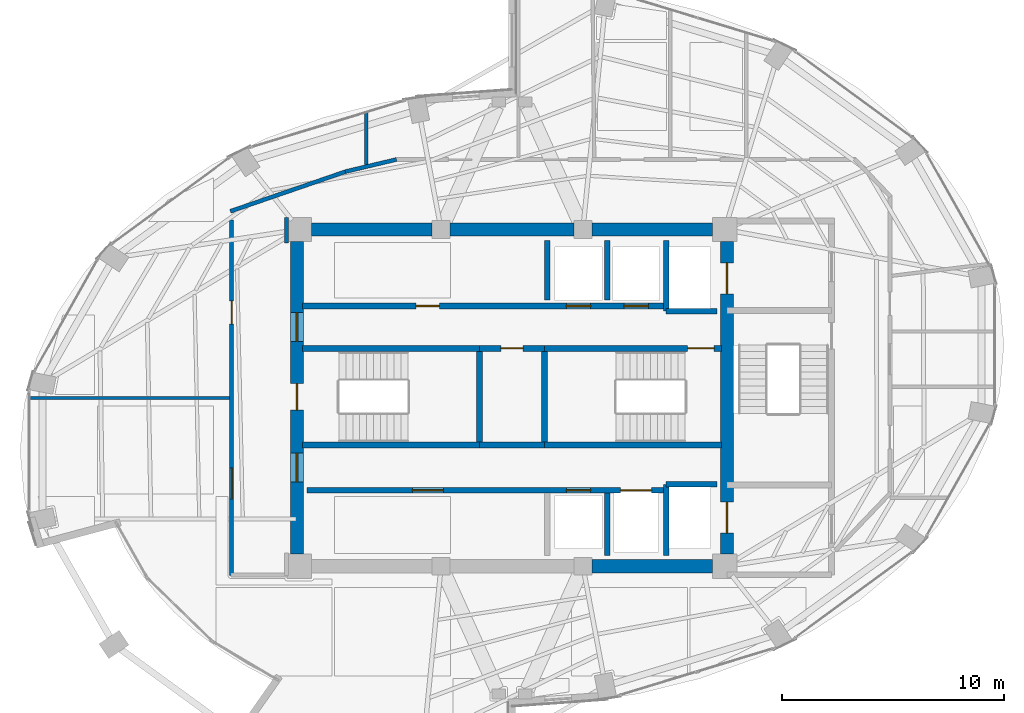
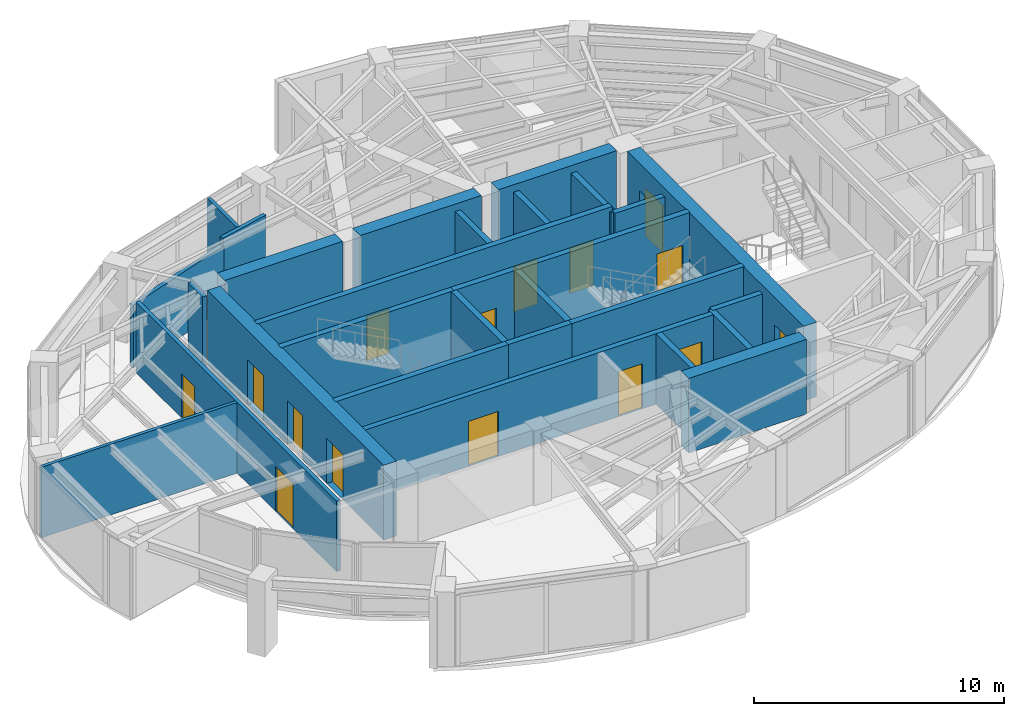
# One storey, part 17 of 21: 29 walls, 15 doors, 15 openings.
"""IFC4 building model written with IfcOpenShell, lengths in metres."""

from ifc_helpers import new_model, si_unit, direction, frame, frame_2d, origin, place, context, subcontext, project, spatial, rectangle, extrude, material, layer, layer_set, type_object, element, fill, save


model = new_model("IFC4")

# Units and contexts
model_context = context("Model", 3, precision=1e-05, world=origin(), true_north=direction((0.0, 1.0)))
body_context = subcontext(model_context, "Body", "Model", "MODEL_VIEW")
ifc_project = project(units=[si_unit("LENGTHUNIT", "METRE"), si_unit("AREAUNIT", "SQUARE_METRE"), si_unit("VOLUMEUNIT", "CUBIC_METRE"), si_unit("PLANEANGLEUNIT", "RADIAN"), si_unit("MASSUNIT", "GRAM", prefix="KILO")], contexts=[model_context])

# Site, building, storey
site_placement = place(None, origin())
site = spatial("IfcSite", under=ifc_project, at=site_placement, CompositionType="ELEMENT")
building_placement = place(site_placement, origin())
building = spatial("IfcBuilding", under=site, at=building_placement, Name="Lazwardi Medical Tower", CompositionType="ELEMENT")
storey_placement = place(building_placement, frame((0.0, 0.0, 220.367919921875)))
storey = spatial("IfcBuildingStorey", under=building, at=storey_placement, Name="L57", CompositionType="ELEMENT", Elevation=220.367919921875)

# Walls
ifc_material_1 = material(Name="Fire-rated gypsum board on steel stud", Category="steel")
ifc_layer_1 = layer(ifc_material_1, 0.179931640625)
ifc_layer_set_1 = layer_set([ifc_layer_1], Name="Fire-rated gypsum board on steel stud")
wall_type_1 = type_object("IfcWallType", Name="WL-COR-180", PredefinedType="PARTITIONING", material=ifc_layer_set_1)
wall_1_placement = place(storey_placement, frame((23.294189453125, 36.422119140625, 0.0), z_axis=(0.0, 0.0, 1.0), x_axis=(0.945493277461, 0.325641616316, 0.0)))
element("IfcWall", 1, at=wall_1_placement, inside=storey, type_object=wall_type_1, Name="L57 Corridor partition 1", PredefinedType="PARTITIONING", context=body_context, shape_type="SweptSolid", body=[
    extrude(rectangle(XDim=5.5615234375, YDim=0.179931640625, at=frame_2d((2.78076171875, 0.0))), origin(), (0.0, 0.0, 1.0), 3.072998046875),
])
wall_2_placement = place(storey_placement, frame((28.475830078125, 38.2109375, 0.0), z_axis=(0.0, 0.0, 1.0), x_axis=(0.973030562203, 0.230676234189, 0.0)))
element("IfcWall", 2, at=wall_2_placement, inside=storey, type_object=wall_type_1, Name="L57 Corridor partition 2", PredefinedType="PARTITIONING", context=body_context, shape_type="SweptSolid", body=[
    extrude(rectangle(XDim=2.377197265625, YDim=0.179931640625, at=frame_2d((1.1884765625, 0.0))), origin(), (0.0, 0.0, 1.0), 3.447998046875),
])
wall_3_placement = place(storey_placement, frame((25.830078125, 36.139892578125, 0.0), z_axis=(0.0, 0.0, 1.0), x_axis=(0.0, -1.0, 0.0)))
element("IfcWall", 3, at=wall_3_placement, inside=storey, type_object=wall_type_1, Name="L57 Corridor partition 7", PredefinedType="PARTITIONING", context=body_context, shape_type="SweptSolid", body=[
    extrude(rectangle(XDim=1.14990234375, YDim=0.179931640625, at=frame_2d((0.574951171875, 0.0))), origin(), (0.0, 0.0, 1.0), 3.447998046875),
])

# Wall, openings, doors
wall_4_placement = place(storey_placement, frame((23.35009765625, 19.97998046875, 0.0), z_axis=(0.0, 0.0, 1.0), x_axis=(0.0, 1.0, 0.0)))
wall_4 = element("IfcWall", 4, at=wall_4_placement, inside=storey, type_object=wall_type_1, Name="L57 Corridor partition 10", PredefinedType="PARTITIONING", context=body_context, shape_type="SweptSolid", body=[
    extrude(rectangle(XDim=16.04248046875, YDim=0.179931640625, at=frame_2d((8.021240234375, 0.0))), origin(), (0.0, 0.0, 1.0), 3.447998046875),
])
opening_1_placement = place(wall_4_placement, frame((3.468994140625, 0.0, 0.0)))
opening_1 = element("IfcOpeningElement", 5, at=opening_1_placement, cuts=wall_4, Name="Opening D-L57-008", PredefinedType="OPENING", context=body_context, shape_type="SweptSolid", body=[
    extrude(rectangle(XDim=1.39990234375, YDim=2.199951171875, at=frame_2d((0.699951171875, 1.10009765625))), frame((0.0, 0.099853515625, 0.0), z_axis=(0.0, -1.0, 0.0), x_axis=(1.0, 0.0, 0.0)), (0.0, 0.0, 1.0), 0.199951171875),
])
opening_2_placement = place(wall_4_placement, frame((11.34716796875, 0.0, 0.0)))
opening_2 = element("IfcOpeningElement", 6, at=opening_2_placement, cuts=wall_4, Name="Opening D-L57-017", PredefinedType="OPENING", context=body_context, shape_type="SweptSolid", body=[
    extrude(rectangle(XDim=1.050048828125, YDim=2.14990234375, at=frame_2d((0.52490234375, 1.074951171875))), frame((0.0, 0.099853515625, 0.0), z_axis=(0.0, -1.0, 0.0), x_axis=(1.0, 0.0, 0.0)), (0.0, 0.0, 1.0), 0.199951171875),
])
ifc_material_2 = material(Name="Anti-microbial laminate hospital leaf")
door_type_1 = type_object("IfcDoorType", Name="DR-BED-1400", OperationType="NOTDEFINED", PredefinedType="DOOR", material=ifc_material_2)
door_1_placement = place(opening_1_placement, origin())
door_1 = element("IfcDoor", 7, at=door_1_placement, inside=storey, type_object=door_type_1, Name="L57 Sky Garden Lounge Door 01", OperationType="SINGLE_SWING_LEFT", OverallHeight=2.199951171875, OverallWidth=1.39990234375, PredefinedType="DOOR", context=body_context, shape_type="SweptSolid", body=[
    extrude(rectangle(XDim=1.39990234375, YDim=2.199951171875, at=frame_2d((0.699951171875, 1.10009765625))), frame((0.0, 0.02490234375, 0.0), z_axis=(0.0, -1.0, 0.0), x_axis=(1.0, 0.0, 0.0)), (0.0, 0.0, 1.0), 0.050048828125),
])
fill(opening_1, door_1)
door_type_2 = type_object("IfcDoorType", Name="DR-CLN-1050", OperationType="NOTDEFINED", PredefinedType="DOOR", material=ifc_material_2)
door_2_placement = place(opening_2_placement, origin())
door_2 = element("IfcDoor", 8, at=door_2_placement, inside=storey, type_object=door_type_2, Name="L57 Outpatient Consultation Suite Door 10", OperationType="SINGLE_SWING_RIGHT", OverallHeight=2.14990234375, OverallWidth=1.050048828125, PredefinedType="DOOR", context=body_context, shape_type="SweptSolid", body=[
    extrude(rectangle(XDim=1.050048828125, YDim=2.14990234375, at=frame_2d((0.52490234375, 1.074951171875))), frame((0.0, 0.02490234375, 0.0), z_axis=(0.0, -1.0, 0.0), x_axis=(1.0, 0.0, 0.0)), (0.0, 0.0, 1.0), 0.050048828125),
])
fill(opening_2, door_2)

ifc_material_3 = material(Name="Concrete C60/75", Category="concrete")
ifc_layer_2 = layer(ifc_material_3, 0.60009765625)
ifc_layer_set_2 = layer_set([ifc_layer_2], Name="Concrete C60/75")
wall_type_2 = type_object("IfcWallType", Name="WL-CORE-600", PredefinedType="SHEAR", material=ifc_layer_set_2)
wall_5_placement = place(storey_placement, frame((26.300048828125, 20.949951171875, 0.0), z_axis=(0.0, 0.0, 1.0), x_axis=(0.0, 1.0, 0.0)))
wall_5 = element("IfcWall", 9, at=wall_5_placement, inside=storey, type_object=wall_type_2, Name="Core wall CW-S3 west L57", PredefinedType="SHEAR", context=body_context, shape_type="SweptSolid", body=[
    extrude(rectangle(XDim=14.10009765625, YDim=0.60009765625, at=frame_2d((7.050048828125, 0.0))), origin(), (0.0, 0.0, 1.0), 3.648193359375),
])
opening_3_placement = place(wall_5_placement, frame((6.5, 0.0, 0.0)))
opening_3 = element("IfcOpeningElement", 10, at=opening_3_placement, cuts=wall_5, Name="Opening D-L57-018", PredefinedType="OPENING", context=body_context, shape_type="SweptSolid", body=[
    extrude(rectangle(XDim=1.199951171875, YDim=2.14990234375, at=frame_2d((0.60009765625, 1.074951171875))), frame((0.0, 0.31005859375, 0.0), z_axis=(0.0, -1.0, 0.0), x_axis=(1.0, 0.0, 0.0)), (0.0, 0.0, 1.0), 0.6201171875),
])
opening_4_placement = place(wall_5_placement, frame((9.60009765625, 0.0, 0.0)))
opening_4 = element("IfcOpeningElement", 11, at=opening_4_placement, cuts=wall_5, Name="Opening D-L57-006", PredefinedType="OPENING", context=body_context, shape_type="SweptSolid", body=[
    extrude(rectangle(XDim=1.300048828125, YDim=2.199951171875, at=frame_2d((0.64990234375, 1.10009765625))), frame((0.0, 0.31005859375, 0.0), z_axis=(0.0, -1.0, 0.0), x_axis=(1.0, 0.0, 0.0)), (0.0, 0.0, 1.0), 0.6201171875),
])
opening_5_placement = place(wall_5_placement, frame((3.260009765625, 0.0, 0.0)))
opening_5 = element("IfcOpeningElement", 12, at=opening_5_placement, cuts=wall_5, Name="Opening D-L57-007", PredefinedType="OPENING", context=body_context, shape_type="SweptSolid", body=[
    extrude(rectangle(XDim=1.300048828125, YDim=2.199951171875, at=frame_2d((0.64990234375, 1.10009765625))), frame((0.0, 0.31005859375, 0.0), z_axis=(0.0, -1.0, 0.0), x_axis=(1.0, 0.0, 0.0)), (0.0, 0.0, 1.0), 0.6201171875),
])
ifc_material_4 = material(Name="Fire-rated steel leaf and frame", Category="steel")
door_type_3 = type_object("IfcDoorType", Name="DR-FFL-1300", OperationType="NOTDEFINED", PredefinedType="DOOR", material=ifc_material_4)
door_3_placement = place(opening_4_placement, origin())
door_3 = element("IfcDoor", 13, at=door_3_placement, inside=storey, type_object=door_type_3, Name="L57 North Lift Lobby Door", OperationType="SINGLE_SWING_RIGHT", OverallHeight=2.199951171875, OverallWidth=1.300048828125, PredefinedType="DOOR", context=body_context, shape_type="SweptSolid", body=[
    extrude(rectangle(XDim=1.300048828125, YDim=2.199951171875, at=frame_2d((0.64990234375, 1.10009765625))), frame((0.0, 0.02490234375, 0.0), z_axis=(0.0, -1.0, 0.0), x_axis=(1.0, 0.0, 0.0)), (0.0, 0.0, 1.0), 0.050048828125),
])
fill(opening_4, door_3)
door_4_placement = place(opening_5_placement, origin())
door_4 = element("IfcDoor", 14, at=door_4_placement, inside=storey, type_object=door_type_3, Name="L57 South Lift Lobby Door", OperationType="SINGLE_SWING_LEFT", OverallHeight=2.199951171875, OverallWidth=1.300048828125, PredefinedType="DOOR", context=body_context, shape_type="SweptSolid", body=[
    extrude(rectangle(XDim=1.300048828125, YDim=2.199951171875, at=frame_2d((0.64990234375, 1.10009765625))), frame((0.0, 0.02490234375, 0.0), z_axis=(0.0, -1.0, 0.0), x_axis=(1.0, 0.0, 0.0)), (0.0, 0.0, 1.0), 0.050048828125),
])
fill(opening_5, door_4)
door_type_4 = type_object("IfcDoorType", Name="DR-STR-1200", OperationType="NOTDEFINED", PredefinedType="DOOR", material=ifc_material_4)
door_5_placement = place(opening_3_placement, origin())
door_5 = element("IfcDoor", 15, at=door_5_placement, inside=storey, type_object=door_type_4, Name="L57 Exit Stair ST1 Door", OperationType="SINGLE_SWING_LEFT", OverallHeight=2.14990234375, OverallWidth=1.199951171875, PredefinedType="DOOR", context=body_context, shape_type="SweptSolid", body=[
    extrude(rectangle(XDim=1.199951171875, YDim=2.14990234375, at=frame_2d((0.60009765625, 1.074951171875))), frame((0.0, 0.02490234375, 0.0), z_axis=(0.0, -1.0, 0.0), x_axis=(1.0, 0.0, 0.0)), (0.0, 0.0, 1.0), 0.050048828125),
])
fill(opening_3, door_5)

wall_6_placement = place(storey_placement, frame((45.699951171875, 20.949951171875, 0.0), z_axis=(0.0, 0.0, 1.0), x_axis=(0.0, 1.0, 0.0)))
wall_6 = element("IfcWall", 16, at=wall_6_placement, inside=storey, type_object=wall_type_2, Name="Core wall CW-S3 east L57", PredefinedType="SHEAR", context=body_context, shape_type="SweptSolid", body=[
    extrude(rectangle(XDim=14.10009765625, YDim=0.60009765625, at=frame_2d((7.050048828125, 0.0))), origin(), (0.0, 0.0, 1.0), 3.648193359375),
])
opening_6_placement = place(wall_6_placement, frame((11.75, 0.0, 0.0)))
opening_6 = element("IfcOpeningElement", 17, at=opening_6_placement, cuts=wall_6, Name="Opening LD-L57-001", PredefinedType="OPENING", context=body_context, shape_type="SweptSolid", body=[
    extrude(rectangle(XDim=1.39990234375, YDim=2.300048828125, at=frame_2d((0.699951171875, 1.14990234375))), frame((0.0, 0.31005859375, 0.0), z_axis=(0.0, -1.0, 0.0), x_axis=(1.0, 0.0, 0.0)), (0.0, 0.0, 1.0), 0.6201171875),
])
opening_7_placement = place(wall_6_placement, frame((0.949951171875, 0.0, 0.0)))
opening_7 = element("IfcOpeningElement", 18, at=opening_7_placement, cuts=wall_6, Name="Opening LD-L57-002", PredefinedType="OPENING", context=body_context, shape_type="SweptSolid", body=[
    extrude(rectangle(XDim=1.39990234375, YDim=2.300048828125, at=frame_2d((0.699951171875, 1.14990234375))), frame((0.0, 0.31005859375, 0.0), z_axis=(0.0, -1.0, 0.0), x_axis=(1.0, 0.0, 0.0)), (0.0, 0.0, 1.0), 0.6201171875),
])
ifc_material_5 = material(Name="Brushed stainless steel bed-lift landing door", Category="steel")
door_type_5 = type_object("IfcDoorType", Name="DR-LFT-1400", OperationType="NOTDEFINED", PredefinedType="DOOR", material=ifc_material_5)
door_6_placement = place(opening_6_placement, origin())
door_6 = element("IfcDoor", 19, at=door_6_placement, inside=storey, type_object=door_type_5, Name="L57 Lift Landing Door FL-01", OperationType="SLIDING_TO_LEFT", OverallHeight=2.300048828125, OverallWidth=1.39990234375, PredefinedType="DOOR", context=body_context, shape_type="SweptSolid", body=[
    extrude(rectangle(XDim=1.39990234375, YDim=2.300048828125, at=frame_2d((0.699951171875, 1.14990234375))), frame((0.0, 0.02490234375, 0.0), z_axis=(0.0, -1.0, 0.0), x_axis=(1.0, 0.0, 0.0)), (0.0, 0.0, 1.0), 0.050048828125),
])
fill(opening_6, door_6)
door_7_placement = place(opening_7_placement, origin())
door_7 = element("IfcDoor", 20, at=door_7_placement, inside=storey, type_object=door_type_5, Name="L57 Lift Landing Door FL-02", OperationType="SLIDING_TO_LEFT", OverallHeight=2.300048828125, OverallWidth=1.39990234375, PredefinedType="DOOR", context=body_context, shape_type="SweptSolid", body=[
    extrude(rectangle(XDim=1.39990234375, YDim=2.300048828125, at=frame_2d((0.699951171875, 1.14990234375))), frame((0.0, 0.02490234375, 0.0), z_axis=(0.0, -1.0, 0.0), x_axis=(1.0, 0.0, 0.0)), (0.0, 0.0, 1.0), 0.050048828125),
])
fill(opening_7, door_7)

# Walls
wall_7_placement = place(storey_placement, frame((26.949951171875, 35.60009765625, 0.0), z_axis=(0.0, 0.0, 1.0), x_axis=(1.0, 0.0, 0.0)))
element("IfcWall", 21, at=wall_7_placement, inside=storey, type_object=wall_type_2, Name="Core wall CW-S3 N1 L57", PredefinedType="SHEAR", context=body_context, shape_type="SweptSolid", body=[
    extrude(rectangle(XDim=5.449951171875, YDim=0.60009765625, at=frame_2d((2.72509765625, 0.0))), origin(), (0.0, 0.0, 1.0), 3.648193359375),
])
wall_8_placement = place(storey_placement, frame((33.199951171875, 35.60009765625, 0.0), z_axis=(0.0, 0.0, 1.0), x_axis=(1.0, 0.0, 0.0)))
element("IfcWall", 22, at=wall_8_placement, inside=storey, type_object=wall_type_2, Name="Core wall CW-S3 N2 L57", PredefinedType="SHEAR", context=body_context, shape_type="SweptSolid", body=[
    extrude(rectangle(XDim=5.60009765625, YDim=0.60009765625, at=frame_2d((2.800048828125, 0.0))), origin(), (0.0, 0.0, 1.0), 3.648193359375),
])
for number, where, z_axis, x_axis, name in (
    (23, (39.60009765625, 20.39990234375, 0.0), (0.0, 0.0, 1.0), (1.0, 0.0, 0.0), "Core wall CW-S3 S3 L57"),
    (24, (39.60009765625, 35.60009765625, 0.0), (0.0, 0.0, 1.0), (1.0, 0.0, 0.0), "Core wall CW-S3 N3 L57"),
):
    element("IfcWall", number, at=place(storey_placement, frame(where, z_axis=z_axis, x_axis=x_axis)), inside=storey, type_object=wall_type_2, Name=name, PredefinedType="SHEAR", context=body_context, shape_type="SweptSolid", body=[
        extrude(rectangle(XDim=5.449951171875, YDim=0.60009765625, at=frame_2d((2.72509765625, 0.0))), origin(), (0.0, 0.0, 1.0), 3.648193359375),
    ])

# Wall, openings, doors
ifc_material_6 = material(Name="Autoclaved aerated concrete blockwork", Category="masonry")
ifc_layer_3 = layer(ifc_material_6, 0.25)
ifc_layer_set_3 = layer_set([ifc_layer_3], Name="Autoclaved aerated concrete blockwork")
wall_type_3 = type_object("IfcWallType", Name="WL-SHAFT-250", PredefinedType="SOLIDWALL", material=ifc_layer_set_3)
wall_9_placement = place(storey_placement, frame((26.75, 23.830078125, 0.0), z_axis=(0.0, 0.0, 1.0), x_axis=(1.0, 0.0, 0.0)))
wall_9 = element("IfcWall", 25, at=wall_9_placement, inside=storey, type_object=wall_type_3, Name="L57 South lift bank front wall", PredefinedType="SOLIDWALL", context=body_context, shape_type="SweptSolid", body=[
    extrude(rectangle(XDim=16.199951171875, YDim=0.25, at=frame_2d((8.10009765625, 0.0))), origin(), (0.0, 0.0, 1.0), 3.447998046875),
])
opening_8_placement = place(wall_9_placement, frame((4.75, 0.0, 0.0)))
opening_8 = element("IfcOpeningElement", 26, at=opening_8_placement, cuts=wall_9, Name="Opening D-L57-003", PredefinedType="OPENING", context=body_context, shape_type="SweptSolid", body=[
    extrude(rectangle(XDim=1.39990234375, YDim=2.199951171875, at=frame_2d((0.699951171875, 1.10009765625))), frame((0.0, 0.135009765625, 0.0), z_axis=(0.0, -1.0, 0.0), x_axis=(1.0, 0.0, 0.0)), (0.0, 0.0, 1.0), 0.27001953125),
])
opening_9_placement = place(wall_9_placement, frame((11.699951171875, 0.0, 0.0)))
opening_9 = element("IfcOpeningElement", 27, at=opening_9_placement, cuts=wall_9, Name="Opening LD-L57-006", PredefinedType="OPENING", context=body_context, shape_type="SweptSolid", body=[
    extrude(rectangle(XDim=1.10009765625, YDim=2.199951171875, at=frame_2d((0.550048828125, 1.10009765625))), frame((0.0, 0.135009765625, 0.0), z_axis=(0.0, -1.0, 0.0), x_axis=(1.0, 0.0, 0.0)), (0.0, 0.0, 1.0), 0.27001953125),
])
opening_10_placement = place(wall_9_placement, frame((14.14990234375, 0.0, 0.0)))
opening_10 = element("IfcOpeningElement", 28, at=opening_10_placement, cuts=wall_9, Name="Opening LD-L57-003", PredefinedType="OPENING", context=body_context, shape_type="SweptSolid", body=[
    extrude(rectangle(XDim=1.39990234375, YDim=2.300048828125, at=frame_2d((0.699951171875, 1.14990234375))), frame((0.0, 0.135009765625, 0.0), z_axis=(0.0, -1.0, 0.0), x_axis=(1.0, 0.0, 0.0)), (0.0, 0.0, 1.0), 0.27001953125),
])
door_8_placement = place(opening_8_placement, origin())
door_8 = element("IfcDoor", 29, at=door_8_placement, inside=storey, type_object=door_type_1, Name="L57 Core South Suite Door", OperationType="SINGLE_SWING_LEFT", OverallHeight=2.199951171875, OverallWidth=1.39990234375, PredefinedType="DOOR", context=body_context, shape_type="SweptSolid", body=[
    extrude(rectangle(XDim=1.39990234375, YDim=2.199951171875, at=frame_2d((0.699951171875, 1.10009765625))), frame((0.0, 0.02490234375, 0.0), z_axis=(0.0, -1.0, 0.0), x_axis=(1.0, 0.0, 0.0)), (0.0, 0.0, 1.0), 0.050048828125),
])
fill(opening_8, door_8)
ifc_material_7 = material(Name="Brushed bronze stainless steel landing door", Category="steel")
door_type_6 = type_object("IfcDoorType", Name="DR-LFT-1100", OperationType="NOTDEFINED", PredefinedType="DOOR", material=ifc_material_7)
door_9_placement = place(opening_9_placement, origin())
door_9 = element("IfcDoor", 30, at=door_9_placement, inside=storey, type_object=door_type_6, Name="L57 Lift Landing Door PL-11", OperationType="SLIDING_TO_LEFT", OverallHeight=2.199951171875, OverallWidth=1.10009765625, PredefinedType="DOOR", context=body_context, shape_type="SweptSolid", body=[
    extrude(rectangle(XDim=1.10009765625, YDim=2.199951171875, at=frame_2d((0.550048828125, 1.10009765625))), frame((0.0, 0.02490234375, 0.0), z_axis=(0.0, -1.0, 0.0), x_axis=(1.0, 0.0, 0.0)), (0.0, 0.0, 1.0), 0.050048828125),
])
fill(opening_9, door_9)
door_10_placement = place(opening_10_placement, origin())
door_10 = element("IfcDoor", 31, at=door_10_placement, inside=storey, type_object=door_type_5, Name="L57 Lift Landing Door FL-03", OperationType="SLIDING_TO_LEFT", OverallHeight=2.300048828125, OverallWidth=1.39990234375, PredefinedType="DOOR", context=body_context, shape_type="SweptSolid", body=[
    extrude(rectangle(XDim=1.39990234375, YDim=2.300048828125, at=frame_2d((0.699951171875, 1.14990234375))), frame((0.0, 0.02490234375, 0.0), z_axis=(0.0, -1.0, 0.0), x_axis=(1.0, 0.0, 0.0)), (0.0, 0.0, 1.0), 0.050048828125),
])
fill(opening_10, door_10)

# Walls
wall_10_placement = place(storey_placement, frame((42.949951171875, 31.919921875, 0.0), z_axis=(0.0, 0.0, 1.0), x_axis=(0.0, 1.0, 0.0)))
element("IfcWall", 32, at=wall_10_placement, inside=storey, type_object=wall_type_3, Name="L57 FL-01 West shaft wall", PredefinedType="SOLIDWALL", context=body_context, shape_type="SweptSolid", body=[
    extrude(rectangle(XDim=3.18017578125, YDim=0.25, at=frame_2d((1.590087890625, 0.0))), origin(), (0.0, 0.0, 1.0), 3.447998046875),
])
wall_11_placement = place(storey_placement, frame((42.949951171875, 31.919921875, 0.0), z_axis=(0.0, 0.0, 1.0), x_axis=(1.0, 0.0, 0.0)))
element("IfcWall", 33, at=wall_11_placement, inside=storey, type_object=wall_type_3, Name="L57 FL-01 South shaft wall", PredefinedType="SOLIDWALL", context=body_context, shape_type="SweptSolid", body=[
    extrude(rectangle(XDim=2.300048828125, YDim=0.25, at=frame_2d((1.14990234375, 0.0))), origin(), (0.0, 0.0, 1.0), 3.447998046875),
])
wall_12_placement = place(storey_placement, frame((42.949951171875, 20.89990234375, 0.0), z_axis=(0.0, 0.0, 1.0), x_axis=(0.0, 1.0, 0.0)))
element("IfcWall", 34, at=wall_12_placement, inside=storey, type_object=wall_type_3, Name="L57 FL-02 West shaft wall", PredefinedType="SOLIDWALL", context=body_context, shape_type="SweptSolid", body=[
    extrude(rectangle(XDim=3.2001953125, YDim=0.25, at=frame_2d((1.60009765625, 0.0))), origin(), (0.0, 0.0, 1.0), 3.447998046875),
])
wall_13_placement = place(storey_placement, frame((42.949951171875, 24.10009765625, 0.0), z_axis=(0.0, 0.0, 1.0), x_axis=(1.0, 0.0, 0.0)))
element("IfcWall", 35, at=wall_13_placement, inside=storey, type_object=wall_type_3, Name="L57 FL-02 North shaft wall", PredefinedType="SOLIDWALL", context=body_context, shape_type="SweptSolid", body=[
    extrude(rectangle(XDim=2.300048828125, YDim=0.25, at=frame_2d((1.14990234375, 0.0))), origin(), (0.0, 0.0, 1.0), 3.447998046875),
])
for number, where, z_axis, x_axis, name in (
    (36, (37.60009765625, 32.419921875, 0.0), (0.0, 0.0, 1.0), (0.0, 1.0, 0.0), "L57 North hoistway divider"),
    (37, (40.300048828125, 32.419921875, 0.0), (0.0, 0.0, 1.0), (0.0, 1.0, 0.0), "L57 North hoistway divider"),
):
    element("IfcWall", number, at=place(storey_placement, frame(where, z_axis=z_axis, x_axis=x_axis)), inside=storey, type_object=wall_type_3, Name=name, PredefinedType="SOLIDWALL", context=body_context, shape_type="SweptSolid", body=[
        extrude(rectangle(XDim=2.68017578125, YDim=0.25, at=frame_2d((1.340087890625, 0.0))), origin(), (0.0, 0.0, 1.0), 3.447998046875),
    ])
wall_14_placement = place(storey_placement, frame((40.300048828125, 20.89990234375, 0.0), z_axis=(0.0, 0.0, 1.0), x_axis=(0.0, 1.0, 0.0)))
element("IfcWall", 38, at=wall_14_placement, inside=storey, type_object=wall_type_3, Name="L57 South hoistway divider", PredefinedType="SOLIDWALL", context=body_context, shape_type="SweptSolid", body=[
    extrude(rectangle(XDim=2.800048828125, YDim=0.25, at=frame_2d((1.39990234375, 0.0))), origin(), (0.0, 0.0, 1.0), 3.447998046875),
])
ifc_material_8 = material(Name="Concrete C50/60", Category="concrete")
ifc_layer_4 = layer(ifc_material_8, 0.27001953125)
ifc_layer_set_4 = layer_set([ifc_layer_4], Name="Concrete C50/60")
wall_type_4 = type_object("IfcWallType", Name="WL-STR-250", PredefinedType="SHEAR", material=ifc_layer_set_4)
wall_15_placement = place(storey_placement, frame((26.550048828125, 30.235107421875, 0.0), z_axis=(0.0, 0.0, 1.0), x_axis=(1.0, 0.0, 0.0)))
element("IfcWall", 39, at=wall_15_placement, inside=storey, type_object=wall_type_4, Name="L57 ST1 North shear shaft wall SW-S1", PredefinedType="SHEAR", context=body_context, shape_type="SweptSolid", body=[
    extrude(rectangle(XDim=7.98486328125, YDim=0.27001953125, at=frame_2d((3.992431640625, 0.0))), origin(), (0.0, 0.0, 1.0), 3.648193359375),
])

# Wall, opening, door
wall_16_placement = place(storey_placement, frame((34.534912109375, 30.235107421875, 0.0), z_axis=(0.0, 0.0, 1.0), x_axis=(1.0, 0.0, 0.0)))
wall_16 = element("IfcWall", 40, at=wall_16_placement, inside=storey, type_object=wall_type_4, Name="L57 Core service North shear wall SW-S1", PredefinedType="SHEAR", context=body_context, shape_type="SweptSolid", body=[
    extrude(rectangle(XDim=2.93017578125, YDim=0.27001953125, at=frame_2d((1.465087890625, 0.0))), origin(), (0.0, 0.0, 1.0), 3.648193359375),
])
opening_11_placement = place(wall_16_placement, frame((0.965087890625, 0.0, 0.0)))
opening_11 = element("IfcOpeningElement", 41, at=opening_11_placement, cuts=wall_16, Name="Opening D-L57-001", PredefinedType="OPENING", context=body_context, shape_type="SweptSolid", body=[
    extrude(rectangle(XDim=1.0, YDim=2.10009765625, at=frame_2d((0.5, 1.050048828125))), frame((0.0, 0.14501953125, 0.0), z_axis=(0.0, -1.0, 0.0), x_axis=(1.0, 0.0, 0.0)), (0.0, 0.0, 1.0), 0.2900390625),
])
ifc_material_9 = material(Name="Moisture-resistant laminate door leaf")
door_type_7 = type_object("IfcDoorType", Name="DR-AWC-1000", OperationType="NOTDEFINED", PredefinedType="DOOR", material=ifc_material_9)
door_11_placement = place(opening_11_placement, origin())
door_11 = element("IfcDoor", 42, at=door_11_placement, inside=storey, type_object=door_type_7, Name="L57 Accessible WC Door", OperationType="SINGLE_SWING_LEFT", OverallHeight=2.10009765625, OverallWidth=1.0, PredefinedType="DOOR", context=body_context, shape_type="SweptSolid", body=[
    extrude(rectangle(XDim=1.0, YDim=2.10009765625, at=frame_2d((0.5, 1.050048828125))), frame((0.0, 0.02490234375, 0.0), z_axis=(0.0, -1.0, 0.0), x_axis=(1.0, 0.0, 0.0)), (0.0, 0.0, 1.0), 0.050048828125),
])
fill(opening_11, door_11)

wall_17_placement = place(storey_placement, frame((37.465087890625, 30.235107421875, 0.0), z_axis=(0.0, 0.0, 1.0), x_axis=(1.0, 0.0, 0.0)))
wall_17 = element("IfcWall", 43, at=wall_17_placement, inside=storey, type_object=wall_type_4, Name="L57 ST2 North shear shaft wall SW-S1", PredefinedType="SHEAR", context=body_context, shape_type="SweptSolid", body=[
    extrude(rectangle(XDim=7.98486328125, YDim=0.27001953125, at=frame_2d((3.992431640625, 0.0))), origin(), (0.0, 0.0, 1.0), 3.648193359375),
])
opening_12_placement = place(wall_17_placement, frame((6.455078125, 0.0, 0.0)))
opening_12 = element("IfcOpeningElement", 44, at=opening_12_placement, cuts=wall_17, Name="Opening D-L57-019", PredefinedType="OPENING", context=body_context, shape_type="SweptSolid", body=[
    extrude(rectangle(XDim=1.199951171875, YDim=2.14990234375, at=frame_2d((0.60009765625, 1.074951171875))), frame((0.0, 0.14501953125, 0.0), z_axis=(0.0, -1.0, 0.0), x_axis=(1.0, 0.0, 0.0)), (0.0, 0.0, 1.0), 0.2900390625),
])
door_12_placement = place(opening_12_placement, origin())
door_12 = element("IfcDoor", 45, at=door_12_placement, inside=storey, type_object=door_type_4, Name="L57 Exit Stair ST2 Door", OperationType="SINGLE_SWING_RIGHT", OverallHeight=2.14990234375, OverallWidth=1.199951171875, PredefinedType="DOOR", context=body_context, shape_type="SweptSolid", body=[
    extrude(rectangle(XDim=1.199951171875, YDim=2.14990234375, at=frame_2d((0.60009765625, 1.074951171875))), frame((0.0, 0.02490234375, 0.0), z_axis=(0.0, -1.0, 0.0), x_axis=(1.0, 0.0, 0.0)), (0.0, 0.0, 1.0), 0.050048828125),
])
fill(opening_12, door_12)

# Walls
wall_18_placement = place(storey_placement, frame((26.550048828125, 25.885009765625, 0.0), z_axis=(0.0, 0.0, 1.0), x_axis=(1.0, 0.0, 0.0)))
element("IfcWall", 46, at=wall_18_placement, inside=storey, type_object=wall_type_4, Name="L57 ST1 South shear shaft wall SW-S1", PredefinedType="SHEAR", context=body_context, shape_type="SweptSolid", body=[
    extrude(rectangle(XDim=7.98486328125, YDim=0.27001953125, at=frame_2d((3.992431640625, 0.0))), origin(), (0.0, 0.0, 1.0), 3.648193359375),
])
wall_19_placement = place(storey_placement, frame((34.534912109375, 25.885009765625, 0.0), z_axis=(0.0, 0.0, 1.0), x_axis=(1.0, 0.0, 0.0)))
element("IfcWall", 47, at=wall_19_placement, inside=storey, type_object=wall_type_4, Name="L57 Core service South shear wall SW-S1", PredefinedType="SHEAR", context=body_context, shape_type="SweptSolid", body=[
    extrude(rectangle(XDim=2.93017578125, YDim=0.27001953125, at=frame_2d((1.465087890625, 0.0))), origin(), (0.0, 0.0, 1.0), 3.648193359375),
])
wall_20_placement = place(storey_placement, frame((37.465087890625, 25.885009765625, 0.0), z_axis=(0.0, 0.0, 1.0), x_axis=(1.0, 0.0, 0.0)))
element("IfcWall", 48, at=wall_20_placement, inside=storey, type_object=wall_type_4, Name="L57 ST2 South shear shaft wall SW-S1", PredefinedType="SHEAR", context=body_context, shape_type="SweptSolid", body=[
    extrude(rectangle(XDim=7.98486328125, YDim=0.27001953125, at=frame_2d((3.992431640625, 0.0))), origin(), (0.0, 0.0, 1.0), 3.648193359375),
])
for number, where, z_axis, x_axis, name in (
    (49, (34.534912109375, 26.02001953125, 0.0), (0.0, 0.0, 1.0), (0.0, 1.0, 0.0), "L57 ST1 East shear shaft wall SW-S1"),
    (50, (37.465087890625, 26.02001953125, 0.0), (0.0, 0.0, 1.0), (0.0, 1.0, 0.0), "L57 ST2 West shear shaft wall SW-S1"),
):
    element("IfcWall", number, at=place(storey_placement, frame(where, z_axis=z_axis, x_axis=x_axis)), inside=storey, type_object=wall_type_4, Name=name, PredefinedType="SHEAR", context=body_context, shape_type="SweptSolid", body=[
        extrude(rectangle(XDim=4.080078125, YDim=0.27001953125, at=frame_2d((2.0400390625, 0.0))), origin(), (0.0, 0.0, 1.0), 3.648193359375),
    ])

# Wall, openings, doors
wall_21_placement = place(storey_placement, frame((26.550048828125, 32.14990234375, 0.0), z_axis=(0.0, 0.0, 1.0), x_axis=(1.0, 0.0, 0.0)))
wall_21 = element("IfcWall", 51, at=wall_21_placement, inside=storey, type_object=wall_type_4, Name="L57 North lift bank shear wall SW-S1", PredefinedType="SHEAR", context=body_context, shape_type="SweptSolid", body=[
    extrude(rectangle(XDim=16.39990234375, YDim=0.27001953125, at=frame_2d((8.199951171875, 0.0))), origin(), (0.0, 0.0, 1.0), 3.648193359375),
])
opening_13_placement = place(wall_21_placement, frame((5.125, 0.0, 0.0)))
opening_13 = element("IfcOpeningElement", 52, at=opening_13_placement, cuts=wall_21, Name="Opening D-L57-002", PredefinedType="OPENING", context=body_context, shape_type="SweptSolid", body=[
    extrude(rectangle(XDim=1.050048828125, YDim=2.14990234375, at=frame_2d((0.52490234375, 1.074951171875))), frame((0.0, 0.14501953125, 0.0), z_axis=(0.0, -1.0, 0.0), x_axis=(1.0, 0.0, 0.0)), (0.0, 0.0, 1.0), 0.2900390625),
])
opening_14_placement = place(wall_21_placement, frame((11.89990234375, 0.0, 0.0)))
opening_14 = element("IfcOpeningElement", 53, at=opening_14_placement, cuts=wall_21, Name="Opening LD-L57-004", PredefinedType="OPENING", context=body_context, shape_type="SweptSolid", body=[
    extrude(rectangle(XDim=1.10009765625, YDim=2.199951171875, at=frame_2d((0.550048828125, 1.10009765625))), frame((0.0, 0.14501953125, 0.0), z_axis=(0.0, -1.0, 0.0), x_axis=(1.0, 0.0, 0.0)), (0.0, 0.0, 1.0), 0.2900390625),
])
opening_15_placement = place(wall_21_placement, frame((14.5, 0.0, 0.0)))
opening_15 = element("IfcOpeningElement", 54, at=opening_15_placement, cuts=wall_21, Name="Opening LD-L57-005", PredefinedType="OPENING", context=body_context, shape_type="SweptSolid", body=[
    extrude(rectangle(XDim=1.10009765625, YDim=2.199951171875, at=frame_2d((0.550048828125, 1.10009765625))), frame((0.0, 0.14501953125, 0.0), z_axis=(0.0, -1.0, 0.0), x_axis=(1.0, 0.0, 0.0)), (0.0, 0.0, 1.0), 0.2900390625),
])
door_13_placement = place(opening_13_placement, origin())
door_13 = element("IfcDoor", 55, at=door_13_placement, inside=storey, type_object=door_type_2, Name="L57 Core North Suite Door", OperationType="SINGLE_SWING_RIGHT", OverallHeight=2.14990234375, OverallWidth=1.050048828125, PredefinedType="DOOR", context=body_context, shape_type="SweptSolid", body=[
    extrude(rectangle(XDim=1.050048828125, YDim=2.14990234375, at=frame_2d((0.52490234375, 1.074951171875))), frame((0.0, 0.02490234375, 0.0), z_axis=(0.0, -1.0, 0.0), x_axis=(1.0, 0.0, 0.0)), (0.0, 0.0, 1.0), 0.050048828125),
])
fill(opening_13, door_13)
door_14_placement = place(opening_14_placement, origin())
door_14 = element("IfcDoor", 56, at=door_14_placement, inside=storey, type_object=door_type_6, Name="L57 Lift Landing Door PL-09", OperationType="SLIDING_TO_LEFT", OverallHeight=2.199951171875, OverallWidth=1.10009765625, PredefinedType="DOOR", context=body_context, shape_type="SweptSolid", body=[
    extrude(rectangle(XDim=1.10009765625, YDim=2.199951171875, at=frame_2d((0.550048828125, 1.10009765625))), frame((0.0, 0.02490234375, 0.0), z_axis=(0.0, -1.0, 0.0), x_axis=(1.0, 0.0, 0.0)), (0.0, 0.0, 1.0), 0.050048828125),
])
fill(opening_14, door_14)
door_15_placement = place(opening_15_placement, origin())
door_15 = element("IfcDoor", 57, at=door_15_placement, inside=storey, type_object=door_type_6, Name="L57 Lift Landing Door PL-10", OperationType="SLIDING_TO_LEFT", OverallHeight=2.199951171875, OverallWidth=1.10009765625, PredefinedType="DOOR", context=body_context, shape_type="SweptSolid", body=[
    extrude(rectangle(XDim=1.10009765625, YDim=2.199951171875, at=frame_2d((0.550048828125, 1.10009765625))), frame((0.0, 0.02490234375, 0.0), z_axis=(0.0, -1.0, 0.0), x_axis=(1.0, 0.0, 0.0)), (0.0, 0.0, 1.0), 0.050048828125),
])
fill(opening_15, door_15)

# Walls
ifc_material_10 = material(Name="Acoustic gypsum board partition")
ifc_layer_5 = layer(ifc_material_10, 0.14990234375)
ifc_layer_set_5 = layer_set([ifc_layer_5], Name="Acoustic gypsum board partition")
wall_type_5 = type_object("IfcWallType", Name="WL-WRD-150", PredefinedType="PARTITIONING", material=ifc_layer_set_5)
wall_22_placement = place(storey_placement, frame((14.228271484375, 28.0, 0.0), z_axis=(0.0, 0.0, 1.0), x_axis=(1.0, 0.0, 0.0)))
element("IfcWall", 58, at=wall_22_placement, inside=storey, type_object=wall_type_5, Name="L57 Room partition 1", PredefinedType="PARTITIONING", context=body_context, shape_type="SweptSolid", body=[
    extrude(rectangle(XDim=9.03173828125, YDim=0.14990234375, at=frame_2d((4.515869140625, 0.0))), origin(), (0.0, 0.0, 1.0), 3.447998046875),
])
wall_23_placement = place(storey_placement, frame((29.429931640625, 38.52880859375, 0.0), z_axis=(0.0, 0.0, 1.0), x_axis=(0.0, 1.0, 0.0)))
element("IfcWall", 59, at=wall_23_placement, inside=storey, type_object=wall_type_5, Name="L57 Room partition 6", PredefinedType="PARTITIONING", context=body_context, shape_type="SweptSolid", body=[
    extrude(rectangle(XDim=2.345947265625, YDim=0.14990234375, at=frame_2d((1.1728515625, 0.0))), origin(), (0.0, 0.0, 1.0), 3.447998046875),
])

save(model, "model.ifc")
